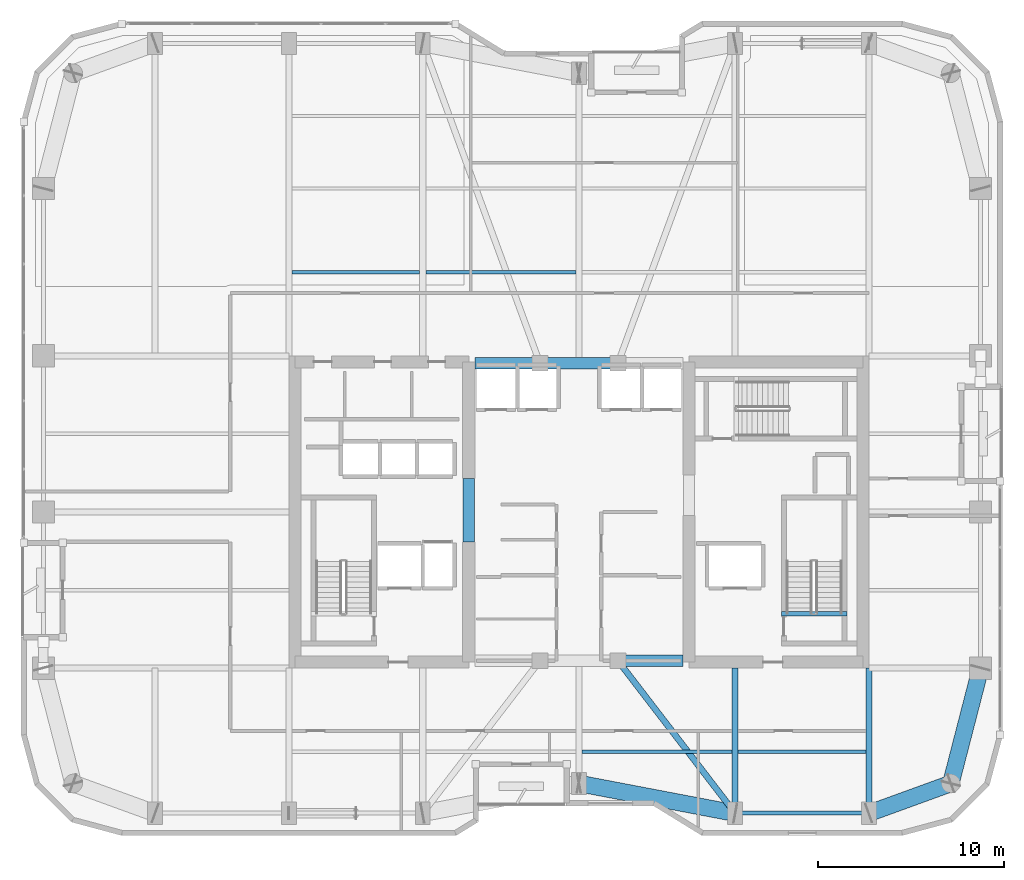
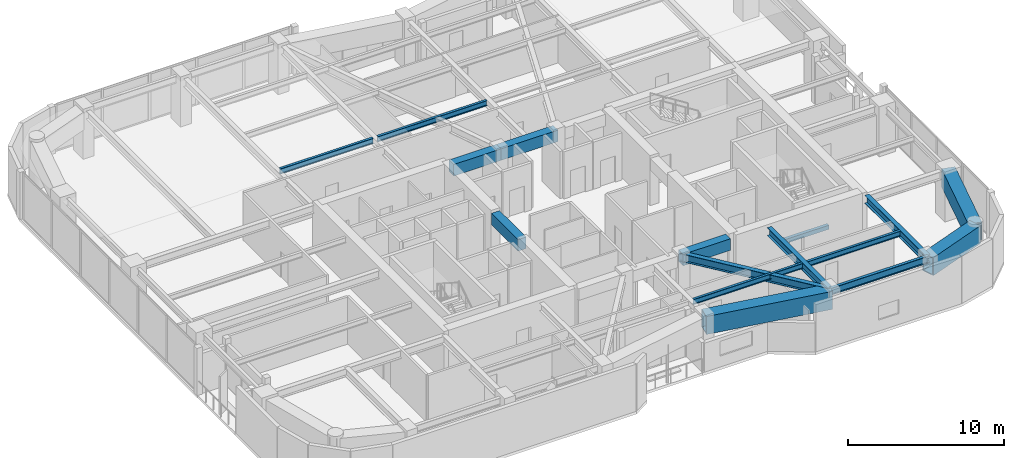
# One storey, part 8 of 30: 16 beams.
"""IFC4 building model written with IfcOpenShell, lengths in metres."""

from ifc_helpers import new_model, si_unit, direction, frame, origin, origin_2d, place, context, subcontext, project, spatial, rectangle, hollow_rectangle, i_section, extrude, material, material_profile, profile_set, type_object, element, save


model = new_model("IFC4")

# Units and contexts
model_context = context("Model", 3, precision=1e-05, world=origin(), true_north=direction((0.0, 1.0)))
body_context = subcontext(model_context, "Body", "Model", "MODEL_VIEW")
ifc_project = project(units=[si_unit("LENGTHUNIT", "METRE"), si_unit("AREAUNIT", "SQUARE_METRE"), si_unit("VOLUMEUNIT", "CUBIC_METRE"), si_unit("PLANEANGLEUNIT", "RADIAN"), si_unit("MASSUNIT", "GRAM", prefix="KILO")], contexts=[model_context])

# Site, building, storey
site_placement = place(None, origin())
site = spatial("IfcSite", under=ifc_project, at=site_placement, CompositionType="ELEMENT")
building_placement = place(site_placement, origin())
building = spatial("IfcBuilding", under=site, at=building_placement, Name="Kiyonajd Concourse Tower", CompositionType="ELEMENT")
storey_placement = place(building_placement, frame((0.0, 0.0, 194.10009765625)))
storey = spatial("IfcBuildingStorey", under=building, at=storey_placement, Name="L49", CompositionType="ELEMENT", Elevation=194.10009765625)

# Beams
ifc_material_1 = material(Name="Concrete C60/75", Category="concrete")
ifc_material_profile_1 = material_profile(ifc_material_1, rectangle(XDim=0.60009765625, YDim=0.89990234375, at=origin_2d()), Name="RCBM-600x900")
ifc_profile_set_1 = profile_set([ifc_material_profile_1], Name="Concrete C60/75")
beam_type_1 = type_object("IfcBeamType", Name="BM-COUP-900", PredefinedType="LINTEL", material=ifc_profile_set_1)
for number, where, z_axis, x_axis, name in (
    (1, (50.10009765625, 28.0, 3.22998046875), (1.0, 0.0, 0.0), (0.0, 1.0, 0.0), "L49 Core Coupling Beam S3"),
    (2, (42.39990234375, 44.0, 3.22998046875), (1.0, 0.0, 0.0), (0.0, 1.0, 0.0), "L49 Core Coupling Beam N1"),
):
    element("IfcBeam", number, at=place(storey_placement, frame(where, z_axis=z_axis, x_axis=x_axis)), inside=storey, type_object=beam_type_1, Name=name, PredefinedType="LINTEL", context=body_context, shape_type="SweptSolid", body=[
        extrude(rectangle(XDim=0.60009765625, YDim=0.89990234375, at=origin_2d()), origin(), (0.0, 0.0, 1.0), 3.5),
    ])
beam_1_placement = place(storey_placement, frame((45.89990234375, 44.0, 3.22998046875), z_axis=(1.0, 0.0, 0.0), x_axis=(0.0, 1.0, 0.0)))
element("IfcBeam", 3, at=beam_1_placement, inside=storey, type_object=beam_type_1, Name="L49 Core Coupling Beam N2", PredefinedType="LINTEL", context=body_context, shape_type="SweptSolid", body=[
    extrude(rectangle(XDim=0.60009765625, YDim=0.89990234375, at=origin_2d()), origin(), (0.0, 0.0, 1.0), 4.2001953125),
])
beam_2_placement = place(storey_placement, frame((42.074951171875, 34.39990234375, 3.22998046875), z_axis=(0.0, 1.0, 0.0), x_axis=(-1.0, 0.0, 0.0)))
element("IfcBeam", 4, at=beam_2_placement, inside=storey, type_object=beam_type_1, Name="L49 West Core Throat Coupling Lintel", PredefinedType="LINTEL", context=body_context, shape_type="SweptSolid", body=[
    extrude(rectangle(XDim=0.60009765625, YDim=0.89990234375, at=origin_2d()), origin(), (0.0, 0.0, 1.0), 3.400146484375),
])
ifc_material_2 = material(Name="Steel ASTM A992 Grade 50", Category="steel")
ifc_material_profile_2 = material_profile(ifc_material_2, i_section(OverallWidth=0.180908203125, OverallDepth=0.4169921875, WebThickness=0.010986328125, FlangeThickness=0.018310546875, at=origin_2d()), Name="W410X85")
ifc_profile_set_2 = profile_set([ifc_material_profile_2], Name="Steel ASTM A992 Grade 50")
beam_type_2 = type_object("IfcBeamType", Name="BM-JST-410", PredefinedType="JOIST", material=ifc_profile_set_2)
beam_3_placement = place(storey_placement, frame((48.16357421875, 23.10009765625, 3.471435546875), z_axis=(1.0, 0.0, 0.0), x_axis=(0.0, 1.0, 0.0)))
element("IfcBeam", 5, at=beam_3_placement, inside=storey, type_object=beam_type_2, Name="L49 Secondary Floor Joist", PredefinedType="JOIST", context=body_context, shape_type="SweptSolid", body=[
    extrude(i_section(OverallWidth=0.180908203125, OverallDepth=0.4169921875, WebThickness=0.010986328125, FlangeThickness=0.018310546875, at=origin_2d()), origin(), (0.0, 0.0, 1.0), 8.072998046875),
])
for number, where, z_axis, x_axis, name in (
    (6, (56.5634765625, 23.10009765625, 3.471435546875), (1.0, 0.0, 0.0), (0.0, 1.0, 0.0), "L49 Secondary Floor Joist"),
    (7, (32.5634765625, 48.89990234375, 3.471435546875), (1.0, 0.0, 0.0), (0.0, 1.0, 0.0), "L49 Secondary Floor Joist"),
):
    element("IfcBeam", number, at=place(storey_placement, frame(where, z_axis=z_axis, x_axis=x_axis)), inside=storey, type_object=beam_type_2, Name=name, PredefinedType="JOIST", context=body_context, shape_type="SweptSolid", body=[
        extrude(i_section(OverallWidth=0.180908203125, OverallDepth=0.4169921875, WebThickness=0.010986328125, FlangeThickness=0.018310546875, at=origin_2d()), origin(), (0.0, 0.0, 1.0), 6.873046875),
    ])
beam_4_placement = place(storey_placement, frame((39.763427734375, 48.89990234375, 3.471435546875), z_axis=(1.0, 0.0, 0.0), x_axis=(0.0, 1.0, 0.0)))
element("IfcBeam", 8, at=beam_4_placement, inside=storey, type_object=beam_type_2, Name="L49 Secondary Floor Joist", PredefinedType="JOIST", context=body_context, shape_type="SweptSolid", body=[
    extrude(i_section(OverallWidth=0.180908203125, OverallDepth=0.4169921875, WebThickness=0.010986328125, FlangeThickness=0.018310546875, at=origin_2d()), origin(), (0.0, 0.0, 1.0), 8.072998046875),
])
ifc_material_3 = material(Name="Concrete C50/60", Category="concrete")
ifc_material_profile_3 = material_profile(ifc_material_3, rectangle(XDim=0.239990234375, YDim=0.320068359375, at=origin_2d()), Name="RCBM-240x320")
ifc_profile_set_3 = profile_set([ifc_material_profile_3], Name="Concrete C50/60")
beam_type_3 = type_object("IfcBeamType", Name="BM-LNT-250", PredefinedType="LINTEL", material=ifc_profile_set_3)
beam_5_placement = place(storey_placement, frame((58.889892578125, 30.530029296875, -0.16015625), z_axis=(1.0, 0.0, 0.0), x_axis=(0.0, 1.0, 0.0)))
element("IfcBeam", 9, at=beam_5_placement, inside=storey, type_object=beam_type_3, Name="L49 Stair ST2 Threshold Support Beam", PredefinedType="LINTEL", context=body_context, shape_type="SweptSolid", body=[
    extrude(rectangle(XDim=0.239990234375, YDim=0.320068359375, at=origin_2d()), origin(), (0.0, 0.0, 1.0), 3.52001953125),
])
ifc_material_profile_4 = material_profile(ifc_material_2, i_section(OverallWidth=0.214111328125, OverallDepth=0.549072265625, WebThickness=0.0146484375, FlangeThickness=0.023681640625, at=origin_2d()), Name="W530X138")
ifc_profile_set_4 = profile_set([ifc_material_profile_4], Name="Steel ASTM A992 Grade 50")
beam_type_4 = type_object("IfcBeamType", Name="BM-SPAN-530A", PredefinedType="SPANDREL", material=ifc_profile_set_4)
beam_6_placement = place(storey_placement, frame((56.39990234375, 19.800048828125, 3.405517578125), z_axis=(1.0, 0.0, 0.0), x_axis=(0.0, 1.0, 0.0)))
element("IfcBeam", 10, at=beam_6_placement, inside=storey, type_object=beam_type_4, Name="L49 Perimeter Bundled Tube Spandrel", PredefinedType="SPANDREL", context=body_context, shape_type="SweptSolid", body=[
    extrude(i_section(OverallWidth=0.214111328125, OverallDepth=0.549072265625, WebThickness=0.0146484375, FlangeThickness=0.023681640625, at=origin_2d()), origin(), (0.0, 0.0, 1.0), 7.2001953125),
])
ifc_material_profile_5 = material_profile(ifc_material_2, i_section(OverallWidth=0.326904296875, OverallDepth=0.6220703125, WebThickness=0.015380859375, FlangeThickness=0.0244140625, at=origin_2d()), Name="W610X195")
ifc_profile_set_5 = profile_set([ifc_material_profile_5], Name="Steel ASTM A992 Grade 50")
beam_type_5 = type_object("IfcBeamType", Name="BM-TWR-610A", PredefinedType="BEAM", material=ifc_profile_set_5)
beam_7_placement = place(storey_placement, frame((50.10009765625, 28.0, 3.368896484375), z_axis=(0.609233709922, -0.792990722956, 0.0), x_axis=(0.792990722956, 0.609233709922, 0.0)))
element("IfcBeam", 11, at=beam_7_placement, inside=storey, type_object=beam_type_5, Name="L49 Core Tie Girder", PredefinedType="BEAM", context=body_context, shape_type="SweptSolid", body=[
    extrude(i_section(OverallWidth=0.326904296875, OverallDepth=0.6220703125, WebThickness=0.015380859375, FlangeThickness=0.0244140625, at=origin_2d()), origin(), (0.0, 0.0, 1.0), 10.340576171875),
])
for number, where, z_axis, x_axis, name in (
    (12, (56.39990234375, 19.800048828125, 3.368896484375), (0.0, 1.0, 0.0), (-1.0, 0.0, 0.0), "L49 South Lease Girder"),
    (13, (63.60009765625, 19.800048828125, 3.368896484375), (0.0, 1.0, 0.0), (-1.0, 0.0, 0.0), "L49 South Lease Girder"),
):
    element("IfcBeam", number, at=place(storey_placement, frame(where, z_axis=z_axis, x_axis=x_axis)), inside=storey, type_object=beam_type_5, Name=name, PredefinedType="BEAM", context=body_context, shape_type="SweptSolid", body=[
        extrude(i_section(OverallWidth=0.326904296875, OverallDepth=0.6220703125, WebThickness=0.015380859375, FlangeThickness=0.0244140625, at=origin_2d()), origin(), (0.0, 0.0, 1.0), 7.800048828125),
    ])
ifc_material_4 = material(Name="Steel ASTM A572 Grade 50", Category="steel")
ifc_material_profile_6 = material_profile(ifc_material_4, hollow_rectangle(XDim=0.89990234375, YDim=1.39990234375, WallThickness=0.070068359375, at=origin_2d()), Name="BOX-1400x900x70")
ifc_profile_set_6 = profile_set([ifc_material_profile_6], Name="Steel ASTM A572 Grade 50")
beam_type_6 = type_object("IfcBeamType", Name="BM-XFER-1400", PredefinedType="BEAM", material=ifc_profile_set_6)
beam_8_placement = place(storey_placement, frame((48.0, 21.39990234375, 2.97998046875), z_axis=(0.982341315253, -0.187097675953, 0.0), x_axis=(0.187097675953, 0.982341315253, 0.0)))
element("IfcBeam", 14, at=beam_8_placement, inside=storey, type_object=beam_type_6, Name="L49 Perimeter Bundled Tube Spandrel", PredefinedType="BEAM", context=body_context, shape_type="SweptSolid", body=[
    extrude(hollow_rectangle(XDim=0.89990234375, YDim=1.39990234375, WallThickness=0.070068359375, at=origin_2d()), origin(), (0.0, 0.0, 1.0), 8.55078125),
])
beam_9_placement = place(storey_placement, frame((63.60009765625, 19.800048828125, 2.97998046875), z_axis=(0.939801036019, 0.341722127901, 0.0), x_axis=(-0.341722127901, 0.939801036019, 0.0)))
element("IfcBeam", 15, at=beam_9_placement, inside=storey, type_object=beam_type_6, Name="L49 Perimeter Bundled Tube Spandrel", PredefinedType="BEAM", context=body_context, shape_type="SweptSolid", body=[
    extrude(hollow_rectangle(XDim=0.89990234375, YDim=1.39990234375, WallThickness=0.070068359375, at=origin_2d()), origin(), (0.0, 0.0, 1.0), 4.681640625),
])
beam_10_placement = place(storey_placement, frame((68.0, 21.39990234375, 2.97998046875), z_axis=(0.249884937687, 0.968275538221, 0.0), x_axis=(-0.968275538221, 0.249884937687, 0.0)))
element("IfcBeam", 16, at=beam_10_placement, inside=storey, type_object=beam_type_6, Name="L49 Perimeter Bundled Tube Spandrel", PredefinedType="BEAM", context=body_context, shape_type="SweptSolid", body=[
    extrude(hollow_rectangle(XDim=0.89990234375, YDim=1.39990234375, WallThickness=0.070068359375, at=origin_2d()), origin(), (0.0, 0.0, 1.0), 6.4033203125),
])

save(model, "model.ifc")
